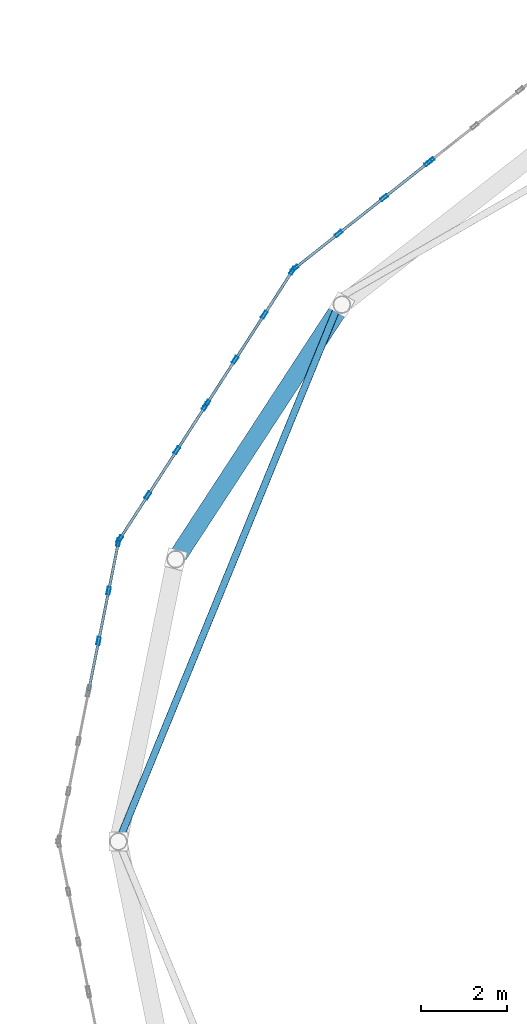
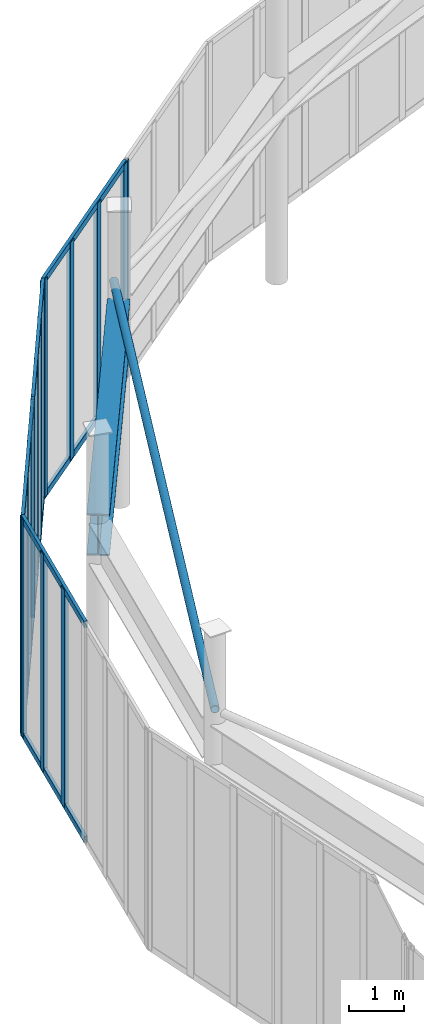
# One storey, part 33 of 91: 25 members, 1 beam, 5 elements without a shape of their own.
"""IFC4 building model written with IfcOpenShell, lengths in metres."""

import ifcopenshell
import ifcopenshell.guid

model = None  # the IFC model being written
_history = None  # IfcOwnerHistory: only IFC2X3 demands one
_inside = {}  # id of a spatial element -> (the spatial element, [elements in it])
_under = {}  # id of a project, library or spatial element -> (it, [spatial elements below it])
_declared = {}  # id of a project -> (the project, [libraries it declares])
_typed = {}  # id of a type object -> (the type object, [elements of that type])
_made_of = {}  # id of a material, layer set ... -> (it, [elements and type objects made of it])


def new_model(schema):
    """Start an empty IFC model of exactly this schema.

    Asked for "IFC4X3", IfcOpenShell would pick the latest addendum, in which some entities
    have other attributes; the version numbers below select the first issue.
    IFC2X3 requires an IfcOwnerHistory on every rooted entity: one is made here for all.
    """
    global model, _history
    if schema == "IFC4X3":
        model = ifcopenshell.file(schema_version=(4, 3, 0, 0))
    else:
        model = ifcopenshell.file(schema=schema)
    _inside.clear()
    _under.clear()
    _declared.clear()
    _typed.clear()
    _made_of.clear()
    _history = None
    if model.schema == "IFC2X3":
        org = make("IfcOrganization", Name="unknown")
        user = make(
            "IfcPersonAndOrganization",
            ThePerson=make("IfcPerson", FamilyName="unknown"),
            TheOrganization=org,
        )
        app = make(
            "IfcApplication",
            ApplicationDeveloper=org,
            Version="unknown",
            ApplicationFullName="unknown",
            ApplicationIdentifier="unknown",
        )
        _history = make(
            "IfcOwnerHistory",
            OwningUser=user,
            OwningApplication=app,
            ChangeAction="ADDED",
            CreationDate=0,
        )
    return model


def make(cls, **values):
    """One entity of the class cls with the attributes given. An attribute that is None is left unset."""
    return model.create_entity(
        cls, **{name: value for name, value in values.items() if value is not None}
    )


def rooted(cls, **values):
    """An entity with a GlobalId (a new one), such as an element, a storey or a relation."""
    return make(cls, GlobalId=ifcopenshell.guid.new(), OwnerHistory=_history, **values)


def si_unit(unit_type, name, prefix=None):
    """IfcSIUnit, for example si_unit("LENGTHUNIT", "METRE", prefix="MILLI")."""
    return make("IfcSIUnit", UnitType=unit_type, Prefix=prefix, Name=name)


def assignment(units):
    """IfcUnitAssignment: the units of a project."""
    return None if units is None else make("IfcUnitAssignment", Units=units)


def point(xyz):
    """IfcCartesianPoint."""
    return None if xyz is None else make("IfcCartesianPoint", Coordinates=xyz)


def direction(xyz):
    """IfcDirection."""
    return None if xyz is None else make("IfcDirection", DirectionRatios=xyz)


def frame(location, z_axis=None, x_axis=None):
    """IfcAxis2Placement3D, a coordinate frame: its origin and axes. An axis left out is left unset."""
    return make(
        "IfcAxis2Placement3D",
        Location=point(location),
        Axis=direction(z_axis),
        RefDirection=direction(x_axis),
    )


def frame_2d(location, x_axis=None):
    """IfcAxis2Placement2D, a coordinate frame in the plane: its origin and x axis."""
    return make(
        "IfcAxis2Placement2D", Location=point(location), RefDirection=direction(x_axis)
    )


def origin():
    """The frame at (0, 0, 0) with its axes left unset."""
    return frame((0.0, 0.0, 0.0))


def origin_2d():
    """The frame at (0, 0) in the plane with its x axis left unset."""
    return frame_2d((0.0, 0.0))


def place(relative_to, where):
    """IfcLocalPlacement: puts the frame where relative to a parent placement (None: the world)."""
    return make(
        "IfcLocalPlacement", PlacementRelTo=relative_to, RelativePlacement=where
    )


def context(
    kind, dimensions, precision=None, world=None, true_north=None, identifier=None
):
    """IfcGeometricRepresentationContext, for example the 3D "Model" context."""
    return make(
        "IfcGeometricRepresentationContext",
        ContextIdentifier=identifier,
        ContextType=kind,
        CoordinateSpaceDimension=dimensions,
        Precision=precision,
        WorldCoordinateSystem=world,
        TrueNorth=true_north,
    )


def subcontext(parent, identifier, kind, view, scale=None):
    """IfcGeometricRepresentationSubContext, for example "Body" below "Model"."""
    return make(
        "IfcGeometricRepresentationSubContext",
        ContextIdentifier=identifier,
        ContextType=kind,
        ParentContext=parent,
        TargetScale=scale,
        TargetView=view,
    )


def project(units=None, contexts=None):
    """IfcProject with its units and contexts."""
    return rooted(
        "IfcProject",
        Name="project",
        RepresentationContexts=contexts,
        UnitsInContext=assignment(units),
    )


def spatial(cls, under=None, at=None, **own):
    """A site, building, storey or space (cls), placed at a placement, below another one or the project."""
    s = rooted(cls, ObjectPlacement=at, **own)
    if under is not None:
        _under.setdefault(under.id(), (under, []))[1].append(s)
    return s


def profile(cls, at=None, kind="AREA", **sizes):
    """A parametric profile (cls). Its sizes go by their IFC names, for example OverallWidth=200.0."""
    return make(cls, ProfileType=kind, Position=at, **sizes)


def hollow_rectangle(**sizes):
    """IfcRectangleHollowProfileDef."""
    return profile("IfcRectangleHollowProfileDef", **sizes)


def hollow_circle(**sizes):
    """IfcCircleHollowProfileDef."""
    return profile("IfcCircleHollowProfileDef", **sizes)


def i_section(**sizes):
    """IfcIShapeProfileDef."""
    return profile("IfcIShapeProfileDef", **sizes)


def extrude(swept, where, along, depth):
    """IfcExtrudedAreaSolid: the profile swept, set in the frame where, extruded along a direction by depth."""
    return make(
        "IfcExtrudedAreaSolid",
        SweptArea=swept,
        Position=where,
        ExtrudedDirection=direction(along),
        Depth=depth,
    )


def shape(context_of_items, identifier, shape_type, items):
    """IfcShapeRepresentation: the items that make up one representation, for example the "Body"."""
    return make(
        "IfcShapeRepresentation",
        ContextOfItems=context_of_items,
        RepresentationIdentifier=identifier,
        RepresentationType=shape_type,
        Items=items,
    )


def material(Name=None, Category=None):
    """IfcMaterial."""
    return make("IfcMaterial", Name=Name, Category=Category)


def layer(
    of_material, thickness, ventilated=None, Name=None, Category=None, Priority=None
):
    """IfcMaterialLayer: one layer of a wall or slab, of a material (None: an air gap)."""
    return make(
        "IfcMaterialLayer",
        Material=of_material,
        LayerThickness=thickness,
        IsVentilated=ventilated,
        Name=Name,
        Category=Category,
        Priority=Priority,
    )


def layer_set(layers, Name=None):
    """IfcMaterialLayerSet."""
    return make("IfcMaterialLayerSet", MaterialLayers=layers, LayerSetName=Name)


def material_profile(
    of_material, cross_section, Name=None, Category=None, Priority=None
):
    """IfcMaterialProfile: a cross section and its material."""
    return make(
        "IfcMaterialProfile",
        Name=Name,
        Material=of_material,
        Profile=cross_section,
        Priority=Priority,
        Category=Category,
    )


def profile_set(profiles, Name=None, composite=None):
    """IfcMaterialProfileSet."""
    return make(
        "IfcMaterialProfileSet",
        Name=Name,
        MaterialProfiles=profiles,
        CompositeProfile=composite,
    )


def made_of(thing, what):
    """Note that an element or type object is made of a material, layer set ...; save() writes the relation."""
    if what is not None:
        _made_of.setdefault(what.id(), (what, []))[1].append(thing)
    return thing


def type_object(cls, material=None, **own):
    """A type object (cls), such as IfcWallType, which elements share."""
    return made_of(rooted(cls, **own), material)


def element(
    cls,
    number,
    at=None,
    inside=None,
    cuts=None,
    type_object=None,
    material=None,
    context=None,
    identifier="Body",
    shape_type=None,
    held_by="IfcProductDefinitionShape",
    body=None,
    shapes=None,
    **own,
):
    """One element of the class cls, such as IfcWall. Its Tag is "e" and its number.

    at: its placement. inside: the storey or other place that contains it. cuts: it is an
    opening in that element (IfcRelVoidsElement). A single representation is given by context,
    identifier, shape_type and body (its items); several are given by shapes. held_by: the class
    of the entity that holds the representations. save() writes the other relations.
    """
    e = rooted(cls, Tag="e%d" % number, ObjectPlacement=at, **own)
    if body is not None:
        shapes = [shape(context, identifier, shape_type, body)]
    if shapes is not None:
        e.Representation = make(held_by, Representations=shapes)
    if inside is not None:
        _inside.setdefault(inside.id(), (inside, []))[1].append(e)
    if cuts is not None:
        rooted(
            "IfcRelVoidsElement", RelatingBuildingElement=cuts, RelatedOpeningElement=e
        )
    if type_object is not None:
        _typed.setdefault(type_object.id(), (type_object, []))[1].append(e)
    return made_of(e, material)


def aggregate(whole, parts):
    """IfcRelAggregates: a whole, such as a stair, and the parts it consists of."""
    return rooted("IfcRelAggregates", RelatingObject=whole, RelatedObjects=parts)


def save(model, path):
    """Write the relations noted so far, then the file.

    IfcRelAggregates (storeys below a building ...), IfcRelContainedInSpatialStructure (elements
    in a storey), IfcRelDefinesByType, IfcRelAssociatesMaterial and IfcRelDeclares: one each for
    every whole, place, type object, material and project.
    """
    for whole, parts in _under.values():
        aggregate(whole, parts)
    for where, things in _inside.values():
        rooted(
            "IfcRelContainedInSpatialStructure",
            RelatedElements=things,
            RelatingStructure=where,
        )
    for kind, things in _typed.values():
        rooted("IfcRelDefinesByType", RelatedObjects=things, RelatingType=kind)
    for what, things in _made_of.values():
        rooted("IfcRelAssociatesMaterial", RelatedObjects=things, RelatingMaterial=what)
    for by, libraries in _declared.values():
        rooted("IfcRelDeclares", RelatingContext=by, RelatedDefinitions=libraries)
    model.write(path)


model = new_model("IFC4")

# Units and contexts
model_context = context("Model", 3, precision=1e-05, world=origin(), true_north=direction((0.0, 1.0)))
body_context = subcontext(model_context, "Body", "Model", "MODEL_VIEW")
ifc_project = project(units=[si_unit("LENGTHUNIT", "METRE"), si_unit("AREAUNIT", "SQUARE_METRE"), si_unit("VOLUMEUNIT", "CUBIC_METRE"), si_unit("PLANEANGLEUNIT", "RADIAN"), si_unit("MASSUNIT", "GRAM", prefix="KILO")], contexts=[model_context])

# Site, building, storey
site_placement = place(None, origin())
site = spatial("IfcSite", under=ifc_project, at=site_placement, CompositionType="ELEMENT")
building_placement = place(site_placement, origin())
building = spatial("IfcBuilding", under=site, at=building_placement, Name="Sollismere Congress Hotel", CompositionType="ELEMENT")
storey_placement = place(building_placement, frame((0.0, 0.0, 10.800048828125)))
storey = spatial("IfcBuildingStorey", under=building, at=storey_placement, Name="L02", CompositionType="ELEMENT", Elevation=10.800048828125)

# Beam
ifc_material_1 = material(Name="Steel ASTM A992 Grade 50", Category="steel")
ifc_material_profile_1 = material_profile(ifc_material_1, i_section(OverallWidth=0.4189453125, OverallDepth=0.927001953125, WebThickness=0.019287109375, FlangeThickness=0.031982421875, at=origin_2d()), Name="W36X231")
ifc_profile_set_1 = profile_set([ifc_material_profile_1], Name="Steel ASTM A992 Grade 50")
beam_type = type_object("IfcBeamType", Name="BM-RG36", PredefinedType="SPANDREL", material=ifc_profile_set_1)
beam_placement = place(storey_placement, frame((6.807861328125, 102.8486328125, 4.156494140625), z_axis=(-0.546593071312, -0.837398360635, 0.0), x_axis=(0.837398360635, -0.546593071312, 0.0)))
element("IfcBeam", 1, at=beam_placement, inside=storey, type_object=beam_type, Name="Beam BM-L02-4214", PredefinedType="SPANDREL", context=body_context, shape_type="SweptSolid", body=[
    extrude(i_section(OverallWidth=0.4189453125, OverallDepth=0.927001953125, WebThickness=0.019287109375, FlangeThickness=0.031982421875, at=origin_2d()), origin(), (0.0, 0.0, 1.0), 6.867431640625),
])

# Member
ifc_material_2 = material(Name="Steel ASTM A500 Grade C", Category="steel")
ifc_material_profile_2 = material_profile(ifc_material_2, hollow_circle(Radius=0.083984375, WallThickness=0.008056640625, at=origin_2d()), Name="CHS168X8")
ifc_profile_set_2 = profile_set([ifc_material_profile_2], Name="Steel ASTM A500 Grade C")
member_type_1 = type_object("IfcMemberType", Name="MB-TI168", PredefinedType="STRINGER", material=ifc_profile_set_2)
member_1_placement = place(storey_placement, frame((6.875732421875, 103.1484375, 4.820068359375), z_axis=(-0.379089596033, -0.925359972216, 0.0), x_axis=(0.925359972216, -0.379089596033, 0.0)))
element("IfcMember", 2, at=member_1_placement, inside=storey, type_object=member_type_1, Name="MEM-DT-05", PredefinedType="STRINGER", context=body_context, shape_type="SweptSolid", body=[
    extrude(hollow_circle(Radius=0.083984375, WallThickness=0.008056640625, at=origin_2d()), origin(), (0.0, 0.0, 1.0), 13.77685546875),
])

# Curtain wall, member
ifc_material_3 = material(Name="Anodized Bronze Curtain Wall & Low-E Triple Glazing", Category="glass")
ifc_layer = layer(ifc_material_3, 0.199951171875, Name="Anodized Bronze Curtain Wall & Low-E Triple Glazing")
ifc_layer_set = layer_set([ifc_layer], Name="Anodized Bronze Curtain Wall & Low-E Triple Glazing")
curtain_wall_type = type_object("IfcCurtainWallType", Name="CW-GLZ36", PredefinedType="USERDEFINED", material=ifc_layer_set)
curtain_wall_1_placement = place(storey_placement, origin())
curtain_wall_1 = element("IfcCurtainWall", 3, at=curtain_wall_1_placement, inside=storey, type_object=curtain_wall_type, Name="Unitised curtain wall CW-L02-031", ObjectType="UNITISED CURTAIN WALL", PredefinedType="USERDEFINED")
ifc_material_4 = material(Name="Anodized Aluminum 6063-T6", Category="aluminium")
ifc_material_profile_3 = material_profile(ifc_material_4, hollow_rectangle(XDim=0.074951171875, YDim=0.179931640625, WallThickness=0.0048828125, at=origin_2d()), Name="ALU180X75X5")
ifc_profile_set_3 = profile_set([ifc_material_profile_3], Name="Anodized Aluminum 6063-T6")
member_type_2 = type_object("IfcMemberType", Name="ML-CW180", PredefinedType="MULLION", material=ifc_profile_set_3)
member_2_placement = place(storey_placement, frame((8.95068359375, 106.312255859375, 0.0), z_axis=(0.0, 0.0, 1.0), x_axis=(0.620532077362, -0.784181063891, 0.0)))
member_2 = element("IfcMember", 4, at=member_2_placement, type_object=member_type_2, Name="CWL-CW-L02-031-ML04", PredefinedType="MULLION", context=body_context, shape_type="SweptSolid", body=[
    extrude(hollow_rectangle(XDim=0.074951171875, YDim=0.179931640625, WallThickness=0.0048828125, at=origin_2d()), origin(), (0.0, 0.0, 1.0), 4.85986328125),
])
aggregate(curtain_wall_1, [member_2])

# Curtain wall, members
curtain_wall_2_placement = place(storey_placement, origin())
curtain_wall_2 = element("IfcCurtainWall", 5, at=curtain_wall_2_placement, inside=storey, type_object=curtain_wall_type, Name="Unitised curtain wall CW-L02-032", ObjectType="UNITISED CURTAIN WALL", PredefinedType="USERDEFINED")
member_3_placement = place(storey_placement, frame((8.89111328125, 106.264892578125, 0.0), z_axis=(0.0, 0.0, 1.0), x_axis=(0.620532077362, -0.784181063891, 0.0)))
member_3 = element("IfcMember", 6, at=member_3_placement, type_object=member_type_2, Name="CWL-CW-L02-032-ML01", PredefinedType="MULLION", context=body_context, shape_type="SweptSolid", body=[
    extrude(hollow_rectangle(XDim=0.074951171875, YDim=0.179931640625, WallThickness=0.0048828125, at=origin_2d()), origin(), (0.0, 0.0, 1.0), 4.85986328125),
])
member_4_placement = place(storey_placement, frame((7.86083984375, 105.44970703125, 0.0), z_axis=(0.0, 0.0, 1.0), x_axis=(0.620532077362, -0.784181063891, 0.0)))
member_4 = element("IfcMember", 7, at=member_4_placement, type_object=member_type_2, Name="CWL-CW-L02-032-ML02", PredefinedType="MULLION", context=body_context, shape_type="SweptSolid", body=[
    extrude(hollow_rectangle(XDim=0.074951171875, YDim=0.179931640625, WallThickness=0.0048828125, at=origin_2d()), origin(), (0.0, 0.0, 1.0), 4.85986328125),
])
member_5_placement = place(storey_placement, frame((6.80078125, 104.61083984375, 0.0), z_axis=(0.0, 0.0, 1.0), x_axis=(0.620532077362, -0.784181063891, 0.0)))
member_5 = element("IfcMember", 8, at=member_5_placement, type_object=member_type_2, Name="CWL-CW-L02-032-ML03", PredefinedType="MULLION", context=body_context, shape_type="SweptSolid", body=[
    extrude(hollow_rectangle(XDim=0.074951171875, YDim=0.179931640625, WallThickness=0.0048828125, at=origin_2d()), origin(), (0.0, 0.0, 1.0), 4.85986328125),
])
member_6_placement = place(storey_placement, frame((5.7705078125, 103.795654296875, 0.0), z_axis=(0.0, 0.0, 1.0), x_axis=(0.620532077362, -0.784181063891, 0.0)))
member_6 = element("IfcMember", 9, at=member_6_placement, type_object=member_type_2, Name="CWL-CW-L02-032-ML04", PredefinedType="MULLION", context=body_context, shape_type="SweptSolid", body=[
    extrude(hollow_rectangle(XDim=0.074951171875, YDim=0.179931640625, WallThickness=0.0048828125, at=origin_2d()), origin(), (0.0, 0.0, 1.0), 4.85986328125),
])

curtain_wall_3_placement = place(storey_placement, origin())
curtain_wall_3 = element("IfcCurtainWall", 10, at=curtain_wall_3_placement, inside=storey, type_object=curtain_wall_type, Name="Unitised curtain wall CW-L02-035", ObjectType="UNITISED CURTAIN WALL", PredefinedType="USERDEFINED")
member_7_placement = place(storey_placement, frame((5.72021484375, 103.740234375, 0.0), z_axis=(0.0, 0.0, 1.0), x_axis=(0.840774542547, -0.541385415951, 0.0)))
member_7 = element("IfcMember", 11, at=member_7_placement, type_object=member_type_2, Name="CWL-CW-L02-035-ML01", PredefinedType="MULLION", context=body_context, shape_type="SweptSolid", body=[
    extrude(hollow_rectangle(XDim=0.074951171875, YDim=0.179931640625, WallThickness=0.0048828125, at=origin_2d()), origin(), (0.0, 0.0, 1.0), 4.85986328125),
])
member_8_placement = place(storey_placement, frame((5.060302734375, 102.715087890625, 0.0), z_axis=(0.0, 0.0, 1.0), x_axis=(0.840774542547, -0.541385415951, 0.0)))
member_8 = element("IfcMember", 12, at=member_8_placement, type_object=member_type_2, Name="CWL-CW-L02-035-ML02", PredefinedType="MULLION", context=body_context, shape_type="SweptSolid", body=[
    extrude(hollow_rectangle(XDim=0.074951171875, YDim=0.179931640625, WallThickness=0.0048828125, at=origin_2d()), origin(), (0.0, 0.0, 1.0), 4.85986328125),
])
member_9_placement = place(storey_placement, frame((4.379638671875, 101.658203125, 0.0), z_axis=(0.0, 0.0, 1.0), x_axis=(0.840774542547, -0.541385415951, 0.0)))
member_9 = element("IfcMember", 13, at=member_9_placement, type_object=member_type_2, Name="CWL-CW-L02-035-ML03", PredefinedType="MULLION", context=body_context, shape_type="SweptSolid", body=[
    extrude(hollow_rectangle(XDim=0.074951171875, YDim=0.179931640625, WallThickness=0.0048828125, at=origin_2d()), origin(), (0.0, 0.0, 1.0), 4.85986328125),
])
member_10_placement = place(storey_placement, frame((3.719482421875, 100.633056640625, 0.0), z_axis=(0.0, 0.0, 1.0), x_axis=(0.840774542547, -0.541385415951, 0.0)))
member_10 = element("IfcMember", 14, at=member_10_placement, type_object=member_type_2, Name="CWL-CW-L02-035-ML04", PredefinedType="MULLION", context=body_context, shape_type="SweptSolid", body=[
    extrude(hollow_rectangle(XDim=0.074951171875, YDim=0.179931640625, WallThickness=0.0048828125, at=origin_2d()), origin(), (0.0, 0.0, 1.0), 4.85986328125),
])

curtain_wall_4_placement = place(storey_placement, origin())
curtain_wall_4 = element("IfcCurtainWall", 15, at=curtain_wall_4_placement, inside=storey, type_object=curtain_wall_type, Name="Unitised curtain wall CW-L02-036", ObjectType="UNITISED CURTAIN WALL", PredefinedType="USERDEFINED")
member_11_placement = place(storey_placement, frame((3.678466796875, 100.569091796875, 0.0), z_axis=(0.0, 0.0, 1.0), x_axis=(0.840774542547, -0.541385415951, 0.0)))
member_11 = element("IfcMember", 16, at=member_11_placement, type_object=member_type_2, Name="CWL-CW-L02-036-ML01", PredefinedType="MULLION", context=body_context, shape_type="SweptSolid", body=[
    extrude(hollow_rectangle(XDim=0.074951171875, YDim=0.179931640625, WallThickness=0.0048828125, at=origin_2d()), origin(), (0.0, 0.0, 1.0), 4.85986328125),
])
member_12_placement = place(storey_placement, frame((3.018310546875, 99.544189453125, 0.0), z_axis=(0.0, 0.0, 1.0), x_axis=(0.840774542547, -0.541385415951, 0.0)))
member_12 = element("IfcMember", 17, at=member_12_placement, type_object=member_type_2, Name="CWL-CW-L02-036-ML02", PredefinedType="MULLION", context=body_context, shape_type="SweptSolid", body=[
    extrude(hollow_rectangle(XDim=0.074951171875, YDim=0.179931640625, WallThickness=0.0048828125, at=origin_2d()), origin(), (0.0, 0.0, 1.0), 4.85986328125),
])
member_13_placement = place(storey_placement, frame((2.337646484375, 98.487060546875, 0.0), z_axis=(0.0, 0.0, 1.0), x_axis=(0.840774542547, -0.541385415951, 0.0)))
member_13 = element("IfcMember", 18, at=member_13_placement, type_object=member_type_2, Name="CWL-CW-L02-036-ML03", PredefinedType="MULLION", context=body_context, shape_type="SweptSolid", body=[
    extrude(hollow_rectangle(XDim=0.074951171875, YDim=0.179931640625, WallThickness=0.0048828125, at=origin_2d()), origin(), (0.0, 0.0, 1.0), 4.85986328125),
])
member_14_placement = place(storey_placement, frame((1.677734375, 97.4619140625, 0.0), z_axis=(0.0, 0.0, 1.0), x_axis=(0.840774542547, -0.541385415951, 0.0)))
member_14 = element("IfcMember", 19, at=member_14_placement, type_object=member_type_2, Name="CWL-CW-L02-036-ML04", PredefinedType="MULLION", context=body_context, shape_type="SweptSolid", body=[
    extrude(hollow_rectangle(XDim=0.074951171875, YDim=0.179931640625, WallThickness=0.0048828125, at=origin_2d()), origin(), (0.0, 0.0, 1.0), 4.85986328125),
])

curtain_wall_5_placement = place(storey_placement, origin())
curtain_wall_5 = element("IfcCurtainWall", 20, at=curtain_wall_5_placement, inside=storey, type_object=curtain_wall_type, Name="Unitised curtain wall CW-L02-041", ObjectType="UNITISED CURTAIN WALL", PredefinedType="USERDEFINED")
member_15_placement = place(storey_placement, frame((1.649658203125, 97.392822265625, 0.0), z_axis=(0.0, 0.0, 1.0), x_axis=(0.98055305186, -0.196254203749, 0.0)))
member_15 = element("IfcMember", 21, at=member_15_placement, type_object=member_type_2, Name="CWL-CW-L02-041-ML01", PredefinedType="MULLION", context=body_context, shape_type="SweptSolid", body=[
    extrude(hollow_rectangle(XDim=0.074951171875, YDim=0.179931640625, WallThickness=0.0048828125, at=origin_2d()), origin(), (0.0, 0.0, 1.0), 4.85986328125),
])
member_16_placement = place(storey_placement, frame((1.422607421875, 96.25830078125, 0.0), z_axis=(0.0, 0.0, 1.0), x_axis=(0.98055305186, -0.196254203749, 0.0)))
member_16 = element("IfcMember", 22, at=member_16_placement, type_object=member_type_2, Name="CWL-CW-L02-041-ML02", PredefinedType="MULLION", context=body_context, shape_type="SweptSolid", body=[
    extrude(hollow_rectangle(XDim=0.074951171875, YDim=0.179931640625, WallThickness=0.0048828125, at=origin_2d()), origin(), (0.0, 0.0, 1.0), 4.85986328125),
])
member_17_placement = place(storey_placement, frame((1.18798828125, 95.086669921875, 0.0), z_axis=(0.0, 0.0, 1.0), x_axis=(0.98055305186, -0.196254203749, 0.0)))
member_17 = element("IfcMember", 23, at=member_17_placement, type_object=member_type_2, Name="CWL-CW-L02-041-ML03", PredefinedType="MULLION", context=body_context, shape_type="SweptSolid", body=[
    extrude(hollow_rectangle(XDim=0.074951171875, YDim=0.179931640625, WallThickness=0.0048828125, at=origin_2d()), origin(), (0.0, 0.0, 1.0), 4.85986328125),
])

# Member
ifc_material_profile_4 = material_profile(ifc_material_4, hollow_rectangle(XDim=0.06494140625, YDim=0.139892578125, WallThickness=0.00390625, at=origin_2d()), Name="ALU140X65X4")
ifc_profile_set_4 = profile_set([ifc_material_profile_4], Name="Anodized Aluminum 6063-T6")
member_type_3 = type_object("IfcMemberType", Name="TR-CW150", PredefinedType="MEMBER", material=ifc_profile_set_4)
member_18_placement = place(storey_placement, frame((8.9208984375, 106.28857421875, 0.032470703125), z_axis=(-0.78419961589, -0.620508632042, 0.0), x_axis=(0.620508632042, -0.78419961589, 0.0)))
member_18 = element("IfcMember", 24, at=member_18_placement, type_object=member_type_3, Name="CWL-CW-L02-032-TR1", PredefinedType="MEMBER", context=body_context, shape_type="SweptSolid", body=[
    extrude(hollow_rectangle(XDim=0.06494140625, YDim=0.139892578125, WallThickness=0.00390625, at=origin_2d()), origin(), (0.0, 0.0, 1.0), 4.055419921875),
])

member_19_placement = place(storey_placement, frame((8.9208984375, 106.28857421875, 4.827392578125), z_axis=(-0.78419961589, -0.620508632042, 0.0), x_axis=(0.620508632042, -0.78419961589, 0.0)))
member_19 = element("IfcMember", 25, at=member_19_placement, type_object=member_type_3, Name="CWL-CW-L02-032-TR2", PredefinedType="MEMBER", context=body_context, shape_type="SweptSolid", body=[
    extrude(hollow_rectangle(XDim=0.06494140625, YDim=0.139892578125, WallThickness=0.00390625, at=origin_2d()), origin(), (0.0, 0.0, 1.0), 4.055419921875),
])

aggregate(curtain_wall_2, [member_3, member_4, member_5, member_6, member_18, member_19])

member_20_placement = place(storey_placement, frame((5.74072265625, 103.772216796875, 0.032470703125), z_axis=(-0.541349622113, -0.840797589577, 0.0), x_axis=(0.840797589577, -0.541349622113, 0.0)))
member_20 = element("IfcMember", 26, at=member_20_placement, type_object=member_type_3, Name="CWL-CW-L02-035-TR1", PredefinedType="MEMBER", context=body_context, shape_type="SweptSolid", body=[
    extrude(hollow_rectangle(XDim=0.06494140625, YDim=0.139892578125, WallThickness=0.00390625, at=origin_2d()), origin(), (0.0, 0.0, 1.0), 3.771484375),
])

member_21_placement = place(storey_placement, frame((5.74072265625, 103.772216796875, 4.827392578125), z_axis=(-0.541349622113, -0.840797589577, 0.0), x_axis=(0.840797589577, -0.541349622113, 0.0)))
member_21 = element("IfcMember", 27, at=member_21_placement, type_object=member_type_3, Name="CWL-CW-L02-035-TR2", PredefinedType="MEMBER", context=body_context, shape_type="SweptSolid", body=[
    extrude(hollow_rectangle(XDim=0.06494140625, YDim=0.139892578125, WallThickness=0.00390625, at=origin_2d()), origin(), (0.0, 0.0, 1.0), 3.771484375),
])

aggregate(curtain_wall_3, [member_7, member_8, member_9, member_10, member_20, member_21])

member_22_placement = place(storey_placement, frame((3.698974609375, 100.60107421875, 0.032470703125), z_axis=(-0.541424846284, -0.840749151547, 0.0), x_axis=(0.840749151547, -0.541424846284, 0.0)))
member_22 = element("IfcMember", 28, at=member_22_placement, type_object=member_type_3, Name="CWL-CW-L02-036-TR1", PredefinedType="MEMBER", context=body_context, shape_type="SweptSolid", body=[
    extrude(hollow_rectangle(XDim=0.06494140625, YDim=0.139892578125, WallThickness=0.00390625, at=origin_2d()), origin(), (0.0, 0.0, 1.0), 3.771484375),
])

member_23_placement = place(storey_placement, frame((3.698974609375, 100.60107421875, 4.827392578125), z_axis=(-0.541424846284, -0.840749151547, 0.0), x_axis=(0.840749151547, -0.541424846284, 0.0)))
member_23 = element("IfcMember", 29, at=member_23_placement, type_object=member_type_3, Name="CWL-CW-L02-036-TR2", PredefinedType="MEMBER", context=body_context, shape_type="SweptSolid", body=[
    extrude(hollow_rectangle(XDim=0.06494140625, YDim=0.139892578125, WallThickness=0.00390625, at=origin_2d()), origin(), (0.0, 0.0, 1.0), 3.771484375),
])

aggregate(curtain_wall_4, [member_11, member_12, member_13, member_14, member_22, member_23])

member_24_placement = place(storey_placement, frame((1.656982421875, 97.43017578125, 0.032470703125), z_axis=(-0.196207812831, -0.980562335695, 0.0), x_axis=(0.980562335695, -0.196207812831, 0.0)))
member_24 = element("IfcMember", 30, at=member_24_placement, type_object=member_type_3, Name="CWL-CW-L02-041-TR1", PredefinedType="MEMBER", context=body_context, shape_type="SweptSolid", body=[
    extrude(hollow_rectangle(XDim=0.06494140625, YDim=0.139892578125, WallThickness=0.00390625, at=origin_2d()), origin(), (0.0, 0.0, 1.0), 3.584716796875),
])

member_25_placement = place(storey_placement, frame((1.656982421875, 97.43017578125, 4.827392578125), z_axis=(-0.196207812831, -0.980562335695, 0.0), x_axis=(0.980562335695, -0.196207812831, 0.0)))
member_25 = element("IfcMember", 31, at=member_25_placement, type_object=member_type_3, Name="CWL-CW-L02-041-TR2", PredefinedType="MEMBER", context=body_context, shape_type="SweptSolid", body=[
    extrude(hollow_rectangle(XDim=0.06494140625, YDim=0.139892578125, WallThickness=0.00390625, at=origin_2d()), origin(), (0.0, 0.0, 1.0), 3.584716796875),
])

aggregate(curtain_wall_5, [member_15, member_16, member_17, member_24, member_25])

save(model, "model.ifc")
